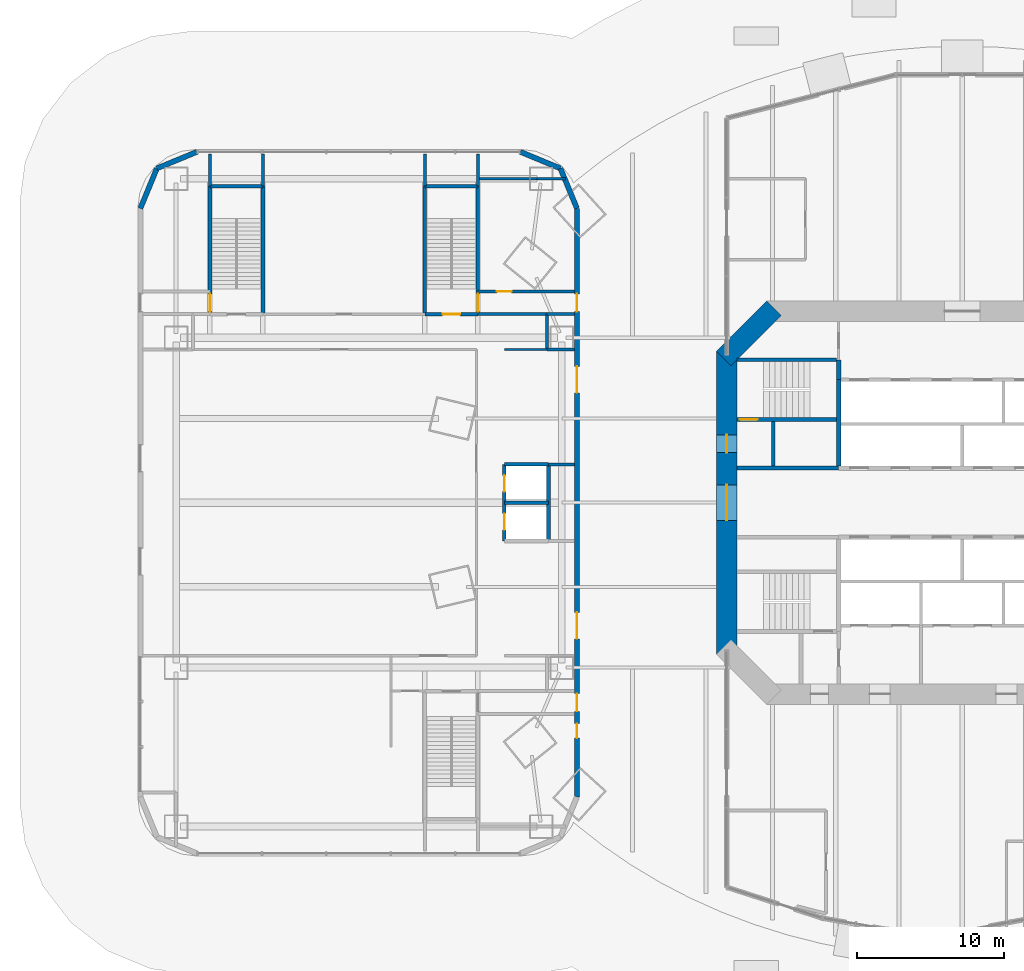
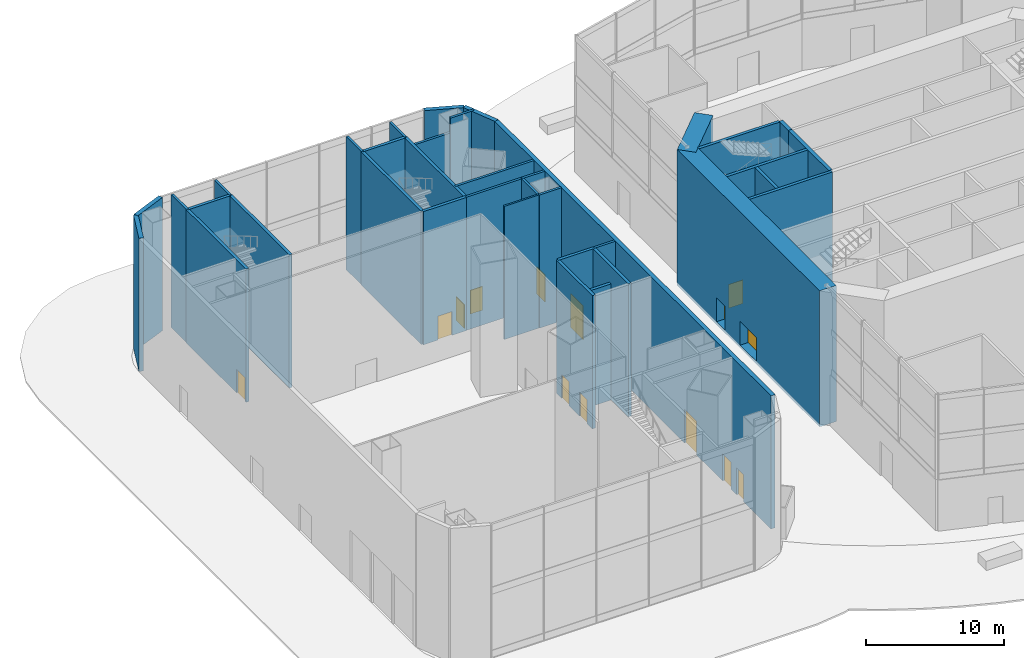
# One storey, part 13 of 23: 37 walls, 14 doors, 14 openings.
"""IFC4 building model written with IfcOpenShell, lengths in metres."""

from ifc_helpers import new_model, si_unit, direction, frame, frame_2d, origin, place, context, subcontext, project, spatial, rectangle, extrude, material, layer, layer_set, type_object, element, fill, save


model = new_model("IFC4")

# Units and contexts
model_context = context("Model", 3, precision=1e-05, world=origin(), true_north=direction((0.0, 1.0)))
body_context = subcontext(model_context, "Body", "Model", "MODEL_VIEW")
ifc_project = project(units=[si_unit("LENGTHUNIT", "METRE"), si_unit("AREAUNIT", "SQUARE_METRE"), si_unit("VOLUMEUNIT", "CUBIC_METRE"), si_unit("PLANEANGLEUNIT", "RADIAN"), si_unit("MASSUNIT", "GRAM", prefix="KILO")], contexts=[model_context])

# Site, building, storey
site_placement = place(None, origin())
site = spatial("IfcSite", under=ifc_project, at=site_placement, CompositionType="ELEMENT")
building_placement = place(site_placement, origin())
building = spatial("IfcBuilding", under=site, at=building_placement, Name="Marenthal Gate Tower", CompositionType="ELEMENT")
storey_placement = place(building_placement, origin())
storey = spatial("IfcBuildingStorey", under=building, at=storey_placement, Name="L00", CompositionType="ELEMENT", Elevation=0.0)

# Wall
ifc_material_1 = material(Name="Concrete 60 MPa", Category="concrete")
ifc_layer_1 = layer(ifc_material_1, 1.39990234375)
ifc_layer_set_1 = layer_set([ifc_layer_1], Name="Core shear wall 1400")
wall_type_1 = type_object("IfcWallType", Name="Core shear wall 1400", PredefinedType="SHEAR", material=ifc_layer_set_1)
wall_1_placement = place(storey_placement, frame((-12.794921875, 13.205078125, -0.25), z_axis=(0.0, 0.0, 1.0), x_axis=(-0.707106781187, -0.707106781187, 0.0)))
element("IfcWall", 1, at=wall_1_placement, inside=storey, type_object=wall_type_1, Name="Core wall 05", PredefinedType="SHEAR", context=body_context, shape_type="SweptSolid", body=[
    extrude(rectangle(XDim=4.82275390625, YDim=1.39990234375, at=frame_2d((2.411376953125, 0.0))), origin(), (0.0, 0.0, 1.0), 12.0),
])

# Wall, openings, doors
wall_2_placement = place(storey_placement, frame((-16.0, 10.289794921875, -0.25), z_axis=(0.0, 0.0, 1.0), x_axis=(0.0, -1.0, 0.0)))
wall_2 = element("IfcWall", 2, at=wall_2_placement, inside=storey, type_object=wall_type_1, Name="Core wall 06", PredefinedType="SHEAR", context=body_context, shape_type="SweptSolid", body=[
    extrude(rectangle(XDim=20.57958984375, YDim=1.39990234375, at=frame_2d((10.289794921875, 0.0))), origin(), (0.0, 0.0, 1.0), 12.0),
])
opening_1_placement = place(wall_2_placement, frame((9.08984375, 0.0, 0.25)))
opening_1 = element("IfcOpeningElement", 3, at=opening_1_placement, cuts=wall_2, Name="Opening D003.01", PredefinedType="OPENING", context=body_context, shape_type="SweptSolid", body=[
    extrude(rectangle(XDim=2.39990234375, YDim=2.10009765625, at=frame_2d((1.199951171875, 1.050048828125))), frame((0.0, 0.7099609375, 0.0), z_axis=(0.0, -1.0, 0.0), x_axis=(1.0, 0.0, 0.0)), (0.0, 0.0, 1.0), 1.419921875),
])
opening_2_placement = place(wall_2_placement, frame((5.68994140625, 0.0, 0.25)))
opening_2 = element("IfcOpeningElement", 4, at=opening_2_placement, cuts=wall_2, Name="Opening D001.04", PredefinedType="OPENING", context=body_context, shape_type="SweptSolid", body=[
    extrude(rectangle(XDim=1.199951171875, YDim=2.10009765625, at=frame_2d((0.60009765625, 1.050048828125))), frame((0.0, 0.7099609375, 0.0), z_axis=(0.0, -1.0, 0.0), x_axis=(1.0, 0.0, 0.0)), (0.0, 0.0, 1.0), 1.419921875),
])
ifc_material_2 = material(Name="Steel fire door", Category="steel")
door_type_1 = type_object("IfcDoorType", Name="Double fire door FD 45 2400 x 2100", OperationType="DOUBLE_DOOR_SINGLE_SWING", PredefinedType="DOOR", material=ifc_material_2)
door_1_placement = place(opening_1_placement, frame((2.39990234375, 0.0, 0.0), z_axis=(0.0, 0.0, 1.0), x_axis=(-1.0, 0.0, 0.0)))
door_1 = element("IfcDoor", 5, at=door_1_placement, inside=storey, type_object=door_type_1, Name="Door D003.01", OperationType="DOUBLE_DOOR_SINGLE_SWING", OverallHeight=2.10009765625, OverallWidth=2.39990234375, PredefinedType="DOOR", context=body_context, shape_type="SweptSolid", body=[
    extrude(rectangle(XDim=2.39990234375, YDim=2.10009765625, at=frame_2d((1.199951171875, 1.050048828125))), frame((0.0, 0.02490234375, 0.0), z_axis=(0.0, -1.0, 0.0), x_axis=(1.0, 0.0, 0.0)), (0.0, 0.0, 1.0), 0.050048828125),
])
fill(opening_1, door_1)
ifc_material_3 = material(Name="Steel fire door", Category="steel")
door_type_2 = type_object("IfcDoorType", Name="Fire door FD 90 1200 x 2100", OperationType="NOTDEFINED", PredefinedType="DOOR", material=ifc_material_3)
door_2_placement = place(opening_2_placement, frame((1.199951171875, 0.0, 0.0), z_axis=(0.0, 0.0, 1.0), x_axis=(-1.0, 0.0, 0.0)))
door_2 = element("IfcDoor", 6, at=door_2_placement, inside=storey, type_object=door_type_2, Name="Door D001.04", OperationType="SINGLE_SWING_LEFT", OverallHeight=2.10009765625, OverallWidth=1.199951171875, PredefinedType="DOOR", context=body_context, shape_type="SweptSolid", body=[
    extrude(rectangle(XDim=1.199951171875, YDim=2.10009765625, at=frame_2d((0.60009765625, 1.050048828125))), frame((0.0, 0.02490234375, 0.0), z_axis=(0.0, -1.0, 0.0), x_axis=(1.0, 0.0, 0.0)), (0.0, 0.0, 1.0), 0.050048828125),
])
fill(opening_2, door_2)

# Walls
ifc_material_4 = material(Name="Concrete 50 MPa", Category="concrete")
ifc_layer_2 = layer(ifc_material_4, 0.300048828125)
ifc_layer_set_2 = layer_set([ifc_layer_2], Name="Hoistway shear wall 300")
wall_type_2 = type_object("IfcWallType", Name="Hoistway shear wall 300", PredefinedType="SHEAR", material=ifc_layer_set_2)
wall_3_placement = place(storey_placement, frame((-8.39990234375, 2.5, -0.25), z_axis=(0.0, 0.0, 1.0), x_axis=(0.0, 1.0, 0.0)))
element("IfcWall", 7, at=wall_3_placement, inside=storey, type_object=wall_type_2, Name="Hoistway wall 32", PredefinedType="SHEAR", context=body_context, shape_type="SweptSolid", body=[
    extrude(rectangle(XDim=5.85009765625, YDim=0.300048828125, at=frame_2d((2.925048828125, 0.0))), origin(), (0.0, 0.0, 1.0), 12.0),
])
ifc_material_5 = material(Name="Concrete 40 MPa", Category="concrete")
ifc_layer_3 = layer(ifc_material_5, 0.25)
ifc_layer_set_3 = layer_set([ifc_layer_3], Name="Hoistway wall 250")
wall_type_3 = type_object("IfcWallType", Name="Hoistway wall 250", PredefinedType="STANDARD", material=ifc_layer_set_3)
wall_4_placement = place(storey_placement, frame((-31.10009765625, 0.0, 0.0), z_axis=(0.0, 0.0, 1.0), x_axis=(1.0, 0.0, 0.0)))
element("IfcWall", 8, at=wall_4_placement, inside=storey, type_object=wall_type_3, Name="Hoistway wall 50", PredefinedType="STANDARD", context=body_context, shape_type="SweptSolid", body=[
    extrude(rectangle(XDim=3.0, YDim=0.25, at=frame_2d((1.5, 0.0))), origin(), (0.0, 0.0, 1.0), 10.25),
])
wall_5_placement = place(storey_placement, frame((-31.10009765625, 2.60009765625, 0.0), z_axis=(0.0, 0.0, 1.0), x_axis=(1.0, 0.0, 0.0)))
element("IfcWall", 9, at=wall_5_placement, inside=storey, type_object=wall_type_3, Name="Hoistway wall 52", PredefinedType="STANDARD", context=body_context, shape_type="SweptSolid", body=[
    extrude(rectangle(XDim=3.0, YDim=0.25, at=frame_2d((1.5, 0.0))), origin(), (0.0, 0.0, 1.0), 11.75),
])
wall_6_placement = place(storey_placement, frame((-28.10009765625, -2.60009765625, 0.0), z_axis=(0.0, 0.0, 1.0), x_axis=(0.0, 1.0, 0.0)))
element("IfcWall", 10, at=wall_6_placement, inside=storey, type_object=wall_type_3, Name="Hoistway wall 56", PredefinedType="STANDARD", context=body_context, shape_type="SweptSolid", body=[
    extrude(rectangle(XDim=5.2001953125, YDim=0.25, at=frame_2d((2.60009765625, 0.0))), origin(), (0.0, 0.0, 1.0), 11.75),
])

# Wall, openings, doors
wall_7_placement = place(storey_placement, frame((-31.10009765625, -2.60009765625, 0.0), z_axis=(0.0, 0.0, 1.0), x_axis=(0.0, 1.0, 0.0)))
wall_7 = element("IfcWall", 11, at=wall_7_placement, inside=storey, type_object=wall_type_3, Name="Hoistway wall 57", PredefinedType="STANDARD", context=body_context, shape_type="SweptSolid", body=[
    extrude(rectangle(XDim=5.2001953125, YDim=0.25, at=frame_2d((2.60009765625, 0.0))), origin(), (0.0, 0.0, 1.0), 11.75),
])
opening_3_placement = place(wall_7_placement, frame((0.75, 0.0, 0.0)))
opening_3 = element("IfcOpeningElement", 12, at=opening_3_placement, cuts=wall_7, Name="Opening LD.03", PredefinedType="OPENING", context=body_context, shape_type="SweptSolid", body=[
    extrude(rectangle(XDim=1.10009765625, YDim=2.10009765625, at=frame_2d((0.550048828125, 1.050048828125))), frame((0.0, 0.135009765625, 0.0), z_axis=(0.0, -1.0, 0.0), x_axis=(1.0, 0.0, 0.0)), (0.0, 0.0, 1.0), 0.27001953125),
])
opening_4_placement = place(wall_7_placement, frame((3.35009765625, 0.0, 0.0)))
opening_4 = element("IfcOpeningElement", 13, at=opening_4_placement, cuts=wall_7, Name="Opening LD.04", PredefinedType="OPENING", context=body_context, shape_type="SweptSolid", body=[
    extrude(rectangle(XDim=1.10009765625, YDim=2.10009765625, at=frame_2d((0.550048828125, 1.050048828125))), frame((0.0, 0.135009765625, 0.0), z_axis=(0.0, -1.0, 0.0), x_axis=(1.0, 0.0, 0.0)), (0.0, 0.0, 1.0), 0.27001953125),
])
ifc_material_6 = material(Name="Stainless steel sliding door", Category="steel")
door_type_3 = type_object("IfcDoorType", Name="Lift landing door FD 90 1100 x 2100", OperationType="DOUBLE_DOOR_SLIDING", PredefinedType="DOOR", material=ifc_material_6)
door_3_placement = place(opening_3_placement, origin())
door_3 = element("IfcDoor", 14, at=door_3_placement, inside=storey, type_object=door_type_3, Name="Lift landing door 03", OperationType="DOUBLE_DOOR_SLIDING", OverallHeight=2.10009765625, OverallWidth=1.10009765625, PredefinedType="DOOR", context=body_context, shape_type="SweptSolid", body=[
    extrude(rectangle(XDim=1.10009765625, YDim=2.10009765625, at=frame_2d((0.550048828125, 1.050048828125))), frame((0.0, 0.02490234375, 0.0), z_axis=(0.0, -1.0, 0.0), x_axis=(1.0, 0.0, 0.0)), (0.0, 0.0, 1.0), 0.050048828125),
])
fill(opening_3, door_3)
door_4_placement = place(opening_4_placement, origin())
door_4 = element("IfcDoor", 15, at=door_4_placement, inside=storey, type_object=door_type_3, Name="Lift landing door 04", OperationType="DOUBLE_DOOR_SLIDING", OverallHeight=2.10009765625, OverallWidth=1.10009765625, PredefinedType="DOOR", context=body_context, shape_type="SweptSolid", body=[
    extrude(rectangle(XDim=1.10009765625, YDim=2.10009765625, at=frame_2d((0.550048828125, 1.050048828125))), frame((0.0, 0.02490234375, 0.0), z_axis=(0.0, -1.0, 0.0), x_axis=(1.0, 0.0, 0.0)), (0.0, 0.0, 1.0), 0.050048828125),
])
fill(opening_4, door_4)

# Walls
ifc_material_7 = material(Name="Gypsum board on steel studs", Category="steel")
ifc_layer_4 = layer(ifc_material_7, 0.14990234375)
ifc_layer_set_4 = layer_set([ifc_layer_4], Name="Partition 150")
wall_type_4 = type_object("IfcWallType", Name="Partition 150", PredefinedType="PARTITIONING", material=ifc_layer_set_4)
wall_8_placement = place(storey_placement, frame((-31.10498046875, 10.39990234375, 0.0), z_axis=(0.0, 0.0, 1.0), x_axis=(1.0, 0.0, 0.0)))
element("IfcWall", 16, at=wall_8_placement, inside=storey, type_object=wall_type_4, Name="Partition wall 81", PredefinedType="PARTITIONING", context=body_context, shape_type="SweptSolid", body=[
    extrude(rectangle(XDim=2.905029296875, YDim=0.14990234375, at=frame_2d((1.45263671875, 0.0))), origin(), (0.0, 0.0, 1.0), 11.75),
])
ifc_material_8 = material(Name="Gypsum board on steel studs", Category="steel")
ifc_layer_5 = layer(ifc_material_8, 0.199951171875)
ifc_layer_set_5 = layer_set([ifc_layer_5], Name="Partition 200")
wall_type_5 = type_object("IfcWallType", Name="Partition 200", PredefinedType="PARTITIONING", material=ifc_layer_set_5)
wall_9_placement = place(storey_placement, frame((-32.905029296875, 12.800048828125, 0.0), z_axis=(0.0, 0.0, 1.0), x_axis=(1.0, 0.0, 0.0)))
element("IfcWall", 17, at=wall_9_placement, inside=storey, type_object=wall_type_5, Name="Partition wall 63", PredefinedType="PARTITIONING", context=body_context, shape_type="SweptSolid", body=[
    extrude(rectangle(XDim=4.705078125, YDim=0.199951171875, at=frame_2d((2.3525390625, 0.0))), origin(), (0.0, 0.0, 1.0), 11.75),
])

# Wall, opening, door
wall_10_placement = place(storey_placement, frame((-32.89990234375, 14.35009765625, 0.0), z_axis=(0.0, 0.0, 1.0), x_axis=(1.0, 0.0, 0.0)))
wall_10 = element("IfcWall", 18, at=wall_10_placement, inside=storey, type_object=wall_type_5, Name="Partition wall 66", PredefinedType="PARTITIONING", context=body_context, shape_type="SweptSolid", body=[
    extrude(rectangle(XDim=6.56982421875, YDim=0.199951171875, at=frame_2d((3.284912109375, 0.0))), origin(), (0.0, 0.0, 1.0), 11.75),
])
opening_5_placement = place(wall_10_placement, frame((1.284912109375, 0.0, 0.0)))
opening_5 = element("IfcOpeningElement", 19, at=opening_5_placement, cuts=wall_10, Name="Opening D009.01", PredefinedType="OPENING", context=body_context, shape_type="SweptSolid", body=[
    extrude(rectangle(XDim=1.0, YDim=2.10009765625, at=frame_2d((0.5, 1.050048828125))), frame((0.0, 0.10986328125, 0.0), z_axis=(0.0, -1.0, 0.0), x_axis=(1.0, 0.0, 0.0)), (0.0, 0.0, 1.0), 0.219970703125),
])
ifc_material_9 = material(Name="Steel fire door", Category="steel")
door_type_4 = type_object("IfcDoorType", Name="Fire door FD 90 1000 x 2100", OperationType="NOTDEFINED", PredefinedType="DOOR", material=ifc_material_9)
door_5_placement = place(opening_5_placement, origin())
door_5 = element("IfcDoor", 20, at=door_5_placement, inside=storey, type_object=door_type_4, Name="Door D009.01", OperationType="SINGLE_SWING_RIGHT", OverallHeight=2.10009765625, OverallWidth=1.0, PredefinedType="DOOR", context=body_context, shape_type="SweptSolid", body=[
    extrude(rectangle(XDim=1.0, YDim=2.10009765625, at=frame_2d((0.5, 1.050048828125))), frame((0.0, 0.02490234375, 0.0), z_axis=(0.0, -1.0, 0.0), x_axis=(1.0, 0.0, 0.0)), (0.0, 0.0, 1.0), 0.050048828125),
])
fill(opening_5, door_5)

# Walls
wall_11_placement = place(storey_placement, frame((-28.10009765625, 2.60009765625, 0.0), z_axis=(0.0, 0.0, 1.0), x_axis=(1.0, 0.0, 0.0)))
element("IfcWall", 21, at=wall_11_placement, inside=storey, type_object=wall_type_5, Name="Partition wall 10", PredefinedType="PARTITIONING", context=body_context, shape_type="SweptSolid", body=[
    extrude(rectangle(XDim=1.77001953125, YDim=0.199951171875, at=frame_2d((0.885009765625, 0.0))), origin(), (0.0, 0.0, 1.0), 11.75),
])
for number, where, z_axis, x_axis, name in (
    (22, (-28.203857421875, 10.39990234375, 0.0), (0.0, 0.0, 1.0), (1.0, 0.0, 0.0), "Partition wall 13"),
    (23, (-28.203857421875, 12.800048828125, 0.0), (0.0, 0.0, 1.0), (1.0, 0.0, 0.0), "Partition wall 17"),
):
    element("IfcWall", number, at=place(storey_placement, frame(where, z_axis=z_axis, x_axis=x_axis)), inside=storey, type_object=wall_type_5, Name=name, PredefinedType="PARTITIONING", context=body_context, shape_type="SweptSolid", body=[
        extrude(rectangle(XDim=1.873779296875, YDim=0.199951171875, at=frame_2d((0.93701171875, 0.0))), origin(), (0.0, 0.0, 1.0), 11.75),
    ])
wall_12_placement = place(storey_placement, frame((-32.89990234375, 22.0, 0.0), z_axis=(0.0, 0.0, 1.0), x_axis=(1.0, 0.0, 0.0)))
element("IfcWall", 24, at=wall_12_placement, inside=storey, type_object=wall_type_5, Name="Partition wall 22", PredefinedType="PARTITIONING", context=body_context, shape_type="SweptSolid", body=[
    extrude(rectangle(XDim=4.0, YDim=0.199951171875, at=frame_2d((2.0, 0.0))), origin(), (0.0, 0.0, 1.0), 10.449951171875),
])
wall_13_placement = place(storey_placement, frame((-28.89990234375, 22.0, 0.0), z_axis=(0.0, 0.0, 1.0), x_axis=(1.0, 0.0, 0.0)))
element("IfcWall", 25, at=wall_13_placement, inside=storey, type_object=wall_type_5, Name="Partition wall 176", PredefinedType="PARTITIONING", context=body_context, shape_type="SweptSolid", body=[
    extrude(rectangle(XDim=1.947998046875, YDim=0.199951171875, at=frame_2d((0.97412109375, 0.0))), origin(), (0.0, 0.0, 1.0), 11.75),
])
wall_14_placement = place(storey_placement, frame((-28.199951171875, 10.39990234375, 0.0), z_axis=(0.0, 0.0, 1.0), x_axis=(0.0, 1.0, 0.0)))
element("IfcWall", 26, at=wall_14_placement, inside=storey, type_object=wall_type_5, Name="Partition wall 36", PredefinedType="PARTITIONING", context=body_context, shape_type="SweptSolid", body=[
    extrude(rectangle(XDim=2.400146484375, YDim=0.199951171875, at=frame_2d((1.2001953125, 0.0))), origin(), (0.0, 0.0, 1.0), 11.75),
])
for number, where, z_axis, x_axis, name in (
    (27, (-32.89990234375, 21.49609375, 0.0), (0.0, 0.0, 1.0), (0.0, 1.0, 0.0), "Partition wall 38"),
    (28, (-36.5, 21.49609375, 0.0), (0.0, 0.0, 1.0), (0.0, 1.0, 0.0), "Partition wall 40"),
    (29, (-47.5, 21.49609375, 0.0), (0.0, 0.0, 1.0), (0.0, 1.0, 0.0), "Partition wall 41"),
    (30, (-51.10009765625, 21.49609375, 0.0), (0.0, 0.0, 1.0), (0.0, 1.0, 0.0), "Partition wall 42"),
):
    element("IfcWall", number, at=place(storey_placement, frame(where, z_axis=z_axis, x_axis=x_axis)), inside=storey, type_object=wall_type_5, Name=name, PredefinedType="PARTITIONING", context=body_context, shape_type="SweptSolid", body=[
        extrude(rectangle(XDim=2.173828125, YDim=0.199951171875, at=frame_2d((1.0869140625, 0.0))), origin(), (0.0, 0.0, 1.0), 11.75),
    ])
ifc_material_10 = material(Name="Concrete 40 MPa", Category="concrete")
ifc_layer_6 = layer(ifc_material_10, 0.25)
ifc_layer_set_6 = layer_set([ifc_layer_6], Name="Stair enclosure wall 250")
wall_type_6 = type_object("IfcWallType", Name="Stair enclosure wall 250", PredefinedType="STANDARD", material=ifc_layer_set_6)
wall_15_placement = place(storey_placement, frame((-15.300048828125, 2.35009765625, 0.0), z_axis=(0.0, 0.0, 1.0), x_axis=(1.0, 0.0, 0.0)))
element("IfcWall", 31, at=wall_15_placement, inside=storey, type_object=wall_type_6, Name="Stair wall 19", PredefinedType="STANDARD", context=body_context, shape_type="SweptSolid", body=[
    extrude(rectangle(XDim=6.900146484375, YDim=0.25, at=frame_2d((3.4501953125, 0.0))), origin(), (0.0, 0.0, 1.0), 11.75),
])
wall_16_placement = place(storey_placement, frame((-12.85009765625, 2.47509765625, 0.0), z_axis=(0.0, 0.0, 1.0), x_axis=(0.0, 1.0, 0.0)))
element("IfcWall", 32, at=wall_16_placement, inside=storey, type_object=wall_type_6, Name="Stair wall 28", PredefinedType="STANDARD", context=body_context, shape_type="SweptSolid", body=[
    extrude(rectangle(XDim=3.0498046875, YDim=0.25, at=frame_2d((1.52490234375, 0.0))), origin(), (0.0, 0.0, 1.0), 11.75),
])

# Wall, opening, door
ifc_material_11 = material(Name="Concrete 50 MPa", Category="concrete")
ifc_layer_7 = layer(ifc_material_11, 0.25)
ifc_layer_set_7 = layer_set([ifc_layer_7], Name="Stair shear wall 250")
wall_type_7 = type_object("IfcWallType", Name="Stair shear wall 250", PredefinedType="SHEAR", material=ifc_layer_set_7)
wall_17_placement = place(storey_placement, frame((-15.300048828125, 5.64990234375, -0.25), z_axis=(0.0, 0.0, 1.0), x_axis=(1.0, 0.0, 0.0)))
wall_17 = element("IfcWall", 33, at=wall_17_placement, inside=storey, type_object=wall_type_7, Name="Stair wall 23", PredefinedType="SHEAR", context=body_context, shape_type="SweptSolid", body=[
    extrude(rectangle(XDim=6.75, YDim=0.25, at=frame_2d((3.375, 0.0))), origin(), (0.0, 0.0, 1.0), 12.0),
])
opening_6_placement = place(wall_17_placement, frame((0.199951171875, 0.0, 0.25)))
opening_6 = element("IfcOpeningElement", 34, at=opening_6_placement, cuts=wall_17, Name="Opening D001.01", PredefinedType="OPENING", context=body_context, shape_type="SweptSolid", body=[
    extrude(rectangle(XDim=1.199951171875, YDim=2.10009765625, at=frame_2d((0.60009765625, 1.050048828125))), frame((0.0, 0.135009765625, 0.0), z_axis=(0.0, -1.0, 0.0), x_axis=(1.0, 0.0, 0.0)), (0.0, 0.0, 1.0), 0.27001953125),
])
door_6_placement = place(opening_6_placement, origin())
door_6 = element("IfcDoor", 35, at=door_6_placement, inside=storey, type_object=door_type_2, Name="Door D001.01", OperationType="SINGLE_SWING_RIGHT", OverallHeight=2.10009765625, OverallWidth=1.199951171875, PredefinedType="DOOR", context=body_context, shape_type="SweptSolid", body=[
    extrude(rectangle(XDim=1.199951171875, YDim=2.10009765625, at=frame_2d((0.60009765625, 1.050048828125))), frame((0.0, 0.02490234375, 0.0), z_axis=(0.0, -1.0, 0.0), x_axis=(1.0, 0.0, 0.0)), (0.0, 0.0, 1.0), 0.050048828125),
])
fill(opening_6, door_6)

# Wall
wall_18_placement = place(storey_placement, frame((-15.300048828125, 9.699951171875, -0.25), z_axis=(0.0, 0.0, 1.0), x_axis=(1.0, 0.0, 0.0)))
element("IfcWall", 36, at=wall_18_placement, inside=storey, type_object=wall_type_7, Name="Stair wall 26", PredefinedType="SHEAR", context=body_context, shape_type="SweptSolid", body=[
    extrude(rectangle(XDim=6.75, YDim=0.25, at=frame_2d((3.375, 0.0))), origin(), (0.0, 0.0, 1.0), 12.0),
])

# Wall, opening, door
wall_19_placement = place(storey_placement, frame((-36.5048828125, 12.800048828125, 0.0), z_axis=(0.0, 0.0, 1.0), x_axis=(1.0, 0.0, 0.0)))
wall_19 = element("IfcWall", 37, at=wall_19_placement, inside=storey, type_object=wall_type_7, Name="Stair wall 50", PredefinedType="SHEAR", context=body_context, shape_type="SweptSolid", body=[
    extrude(rectangle(XDim=3.60986328125, YDim=0.25, at=frame_2d((1.804931640625, 0.0))), origin(), (0.0, 0.0, 1.0), 11.75),
])
opening_7_placement = place(wall_19_placement, frame((1.205078125, 0.0, 0.0)))
opening_7 = element("IfcOpeningElement", 38, at=opening_7_placement, cuts=wall_19, Name="Opening D001.13", PredefinedType="OPENING", context=body_context, shape_type="SweptSolid", body=[
    extrude(rectangle(XDim=1.199951171875, YDim=2.10009765625, at=frame_2d((0.60009765625, 1.050048828125))), frame((0.0, 0.135009765625, 0.0), z_axis=(0.0, -1.0, 0.0), x_axis=(1.0, 0.0, 0.0)), (0.0, 0.0, 1.0), 0.27001953125),
])
door_7_placement = place(opening_7_placement, origin())
door_7 = element("IfcDoor", 39, at=door_7_placement, inside=storey, type_object=door_type_2, Name="Door D001.13", OperationType="SINGLE_SWING_RIGHT", OverallHeight=2.10009765625, OverallWidth=1.199951171875, PredefinedType="DOOR", context=body_context, shape_type="SweptSolid", body=[
    extrude(rectangle(XDim=1.199951171875, YDim=2.10009765625, at=frame_2d((0.60009765625, 1.050048828125))), frame((0.0, 0.02490234375, 0.0), z_axis=(0.0, -1.0, 0.0), x_axis=(1.0, 0.0, 0.0)), (0.0, 0.0, 1.0), 0.050048828125),
])
fill(opening_7, door_7)

# Walls
for number, where, z_axis, x_axis, name in (
    (40, (-51.10009765625, 21.5, 0.0), (0.0, 0.0, 1.0), (1.0, 0.0, 0.0), "Stair wall 53"),
    (41, (-36.5, 21.5, 0.0), (0.0, 0.0, 1.0), (1.0, 0.0, 0.0), "Stair wall 54"),
):
    element("IfcWall", number, at=place(storey_placement, frame(where, z_axis=z_axis, x_axis=x_axis)), inside=storey, type_object=wall_type_7, Name=name, PredefinedType="SHEAR", context=body_context, shape_type="SweptSolid", body=[
        extrude(rectangle(XDim=3.60009765625, YDim=0.25, at=frame_2d((1.800048828125, 0.0))), origin(), (0.0, 0.0, 1.0), 11.75),
    ])

# Wall, opening, door
wall_20_placement = place(storey_placement, frame((-32.89990234375, 12.800048828125, 0.0), z_axis=(0.0, 0.0, 1.0), x_axis=(0.0, 1.0, 0.0)))
wall_20 = element("IfcWall", 42, at=wall_20_placement, inside=storey, type_object=wall_type_7, Name="Stair wall 64", PredefinedType="SHEAR", context=body_context, shape_type="SweptSolid", body=[
    extrude(rectangle(XDim=8.699951171875, YDim=0.25, at=frame_2d((4.35009765625, 0.0))), origin(), (0.0, 0.0, 1.0), 11.75),
])
opening_8_placement = place(wall_20_placement, frame((0.177490234375, 0.0, 0.0)))
opening_8 = element("IfcOpeningElement", 43, at=opening_8_placement, cuts=wall_20, Name="Opening D001.16", PredefinedType="OPENING", context=body_context, shape_type="SweptSolid", body=[
    extrude(rectangle(XDim=1.199951171875, YDim=2.10009765625, at=frame_2d((0.60009765625, 1.050048828125))), frame((0.0, 0.135009765625, 0.0), z_axis=(0.0, -1.0, 0.0), x_axis=(1.0, 0.0, 0.0)), (0.0, 0.0, 1.0), 0.27001953125),
])
door_8_placement = place(opening_8_placement, origin())
door_8 = element("IfcDoor", 44, at=door_8_placement, inside=storey, type_object=door_type_2, Name="Door D001.16", OperationType="SINGLE_SWING_RIGHT", OverallHeight=2.10009765625, OverallWidth=1.199951171875, PredefinedType="DOOR", context=body_context, shape_type="SweptSolid", body=[
    extrude(rectangle(XDim=1.199951171875, YDim=2.10009765625, at=frame_2d((0.60009765625, 1.050048828125))), frame((0.0, 0.02490234375, 0.0), z_axis=(0.0, -1.0, 0.0), x_axis=(1.0, 0.0, 0.0)), (0.0, 0.0, 1.0), 0.050048828125),
])
fill(opening_8, door_8)

# Walls
for number, where, z_axis, x_axis, name in (
    (45, (-36.5, 12.800048828125, 0.0), (0.0, 0.0, 1.0), (0.0, 1.0, 0.0), "Stair wall 66"),
    (46, (-47.5, 12.800048828125, 0.0), (0.0, 0.0, 1.0), (0.0, 1.0, 0.0), "Stair wall 67"),
):
    element("IfcWall", number, at=place(storey_placement, frame(where, z_axis=z_axis, x_axis=x_axis)), inside=storey, type_object=wall_type_7, Name=name, PredefinedType="SHEAR", context=body_context, shape_type="SweptSolid", body=[
        extrude(rectangle(XDim=8.699951171875, YDim=0.25, at=frame_2d((4.35009765625, 0.0))), origin(), (0.0, 0.0, 1.0), 11.75),
    ])

# Wall, opening, door
wall_21_placement = place(storey_placement, frame((-51.10009765625, 12.800048828125, 0.0), z_axis=(0.0, 0.0, 1.0), x_axis=(0.0, 1.0, 0.0)))
wall_21 = element("IfcWall", 47, at=wall_21_placement, inside=storey, type_object=wall_type_7, Name="Stair wall 68", PredefinedType="SHEAR", context=body_context, shape_type="SweptSolid", body=[
    extrude(rectangle(XDim=8.699951171875, YDim=0.25, at=frame_2d((4.35009765625, 0.0))), origin(), (0.0, 0.0, 1.0), 11.75),
])
opening_9_placement = place(wall_21_placement, frame((0.177490234375, 0.0, 0.0)))
opening_9 = element("IfcOpeningElement", 48, at=opening_9_placement, cuts=wall_21, Name="Opening D001.18", PredefinedType="OPENING", context=body_context, shape_type="SweptSolid", body=[
    extrude(rectangle(XDim=1.199951171875, YDim=2.10009765625, at=frame_2d((0.60009765625, 1.050048828125))), frame((0.0, 0.135009765625, 0.0), z_axis=(0.0, -1.0, 0.0), x_axis=(1.0, 0.0, 0.0)), (0.0, 0.0, 1.0), 0.27001953125),
])
door_9_placement = place(opening_9_placement, frame((1.199951171875, 0.0, 0.0), z_axis=(0.0, 0.0, 1.0), x_axis=(-1.0, 0.0, 0.0)))
door_9 = element("IfcDoor", 49, at=door_9_placement, inside=storey, type_object=door_type_2, Name="Door D001.18", OperationType="SINGLE_SWING_LEFT", OverallHeight=2.10009765625, OverallWidth=1.199951171875, PredefinedType="DOOR", context=body_context, shape_type="SweptSolid", body=[
    extrude(rectangle(XDim=1.199951171875, YDim=2.10009765625, at=frame_2d((0.60009765625, 1.050048828125))), frame((0.0, 0.02490234375, 0.0), z_axis=(0.0, -1.0, 0.0), x_axis=(1.0, 0.0, 0.0)), (0.0, 0.0, 1.0), 0.050048828125),
])
fill(opening_9, door_9)

# Wall
ifc_material_12 = material(Name="Concrete 50 MPa", Category="concrete")
ifc_layer_8 = layer(ifc_material_12, 0.300048828125)
ifc_layer_set_8 = layer_set([ifc_layer_8], Name="Stair shear wall 300")
wall_type_8 = type_object("IfcWallType", Name="Stair shear wall 300", PredefinedType="SHEAR", material=ifc_layer_set_8)
wall_22_placement = place(storey_placement, frame((-8.39990234375, 8.35009765625, -0.25), z_axis=(0.0, 0.0, 1.0), x_axis=(0.0, 1.0, 0.0)))
element("IfcWall", 50, at=wall_22_placement, inside=storey, type_object=wall_type_8, Name="Stair wall 33", PredefinedType="SHEAR", context=body_context, shape_type="SweptSolid", body=[
    extrude(rectangle(XDim=1.349853515625, YDim=0.300048828125, at=frame_2d((0.6748046875, 0.0))), origin(), (0.0, 0.0, 1.0), 12.0),
])

# Wall, openings, doors
ifc_material_13 = material(Name="Terracotta cladding on insulated concrete-block backing", Category="masonry")
ifc_layer_9 = layer(ifc_material_13, 0.35009765625)
ifc_layer_set_9 = layer_set([ifc_layer_9], Name="Terracotta cladding wall 350")
wall_type_9 = type_object("IfcWallType", Name="Terracotta cladding wall 350", PredefinedType="SOLIDWALL", material=ifc_layer_set_9)
wall_23_placement = place(storey_placement, frame((-26.175048828125, -19.988525390625, 0.0), z_axis=(0.0, 0.0, 1.0), x_axis=(0.0, 1.0, 0.0)))
wall_23 = element("IfcWall", 51, at=wall_23_placement, inside=storey, type_object=wall_type_9, Name="Terracotta cladding wall L00 W3", PredefinedType="SOLIDWALL", context=body_context, shape_type="SweptSolid", body=[
    extrude(rectangle(XDim=39.97705078125, YDim=0.35009765625, at=frame_2d((19.988525390625, 0.0))), origin(), (0.0, 0.0, 1.0), 11.75),
])
opening_10_placement = place(wall_23_placement, frame((10.738525390625, 0.0, 0.0)))
opening_10 = element("IfcOpeningElement", 52, at=opening_10_placement, cuts=wall_23, Name="Opening DE1-L00-17", PredefinedType="OPENING", context=body_context, shape_type="SweptSolid", body=[
    extrude(rectangle(XDim=1.800048828125, YDim=3.0, at=frame_2d((0.89990234375, 1.5))), frame((0.0, 0.18505859375, 0.0), z_axis=(0.0, -1.0, 0.0), x_axis=(1.0, 0.0, 0.0)), (0.0, 0.0, 1.0), 0.3701171875),
])
opening_11_placement = place(wall_23_placement, frame((27.4384765625, 0.0, 0.0)))
opening_11 = element("IfcOpeningElement", 53, at=opening_11_placement, cuts=wall_23, Name="Opening DE1-L00-18", PredefinedType="OPENING", context=body_context, shape_type="SweptSolid", body=[
    extrude(rectangle(XDim=1.800048828125, YDim=3.0, at=frame_2d((0.89990234375, 1.5))), frame((0.0, 0.18505859375, 0.0), z_axis=(0.0, -1.0, 0.0), x_axis=(1.0, 0.0, 0.0)), (0.0, 0.0, 1.0), 0.3701171875),
])
opening_12_placement = place(wall_23_placement, frame((32.96337890625, 0.0, 0.0)))
opening_12 = element("IfcOpeningElement", 54, at=opening_12_placement, cuts=wall_23, Name="Opening DX1-L00-27", PredefinedType="OPENING", context=body_context, shape_type="SweptSolid", body=[
    extrude(rectangle(XDim=1.199951171875, YDim=2.39990234375, at=frame_2d((0.60009765625, 1.199951171875))), frame((0.0, 0.18505859375, 0.0), z_axis=(0.0, -1.0, 0.0), x_axis=(1.0, 0.0, 0.0)), (0.0, 0.0, 1.0), 0.3701171875),
])
opening_13_placement = place(wall_23_placement, frame((5.8134765625, 0.0, 0.0)))
opening_13 = element("IfcOpeningElement", 55, at=opening_13_placement, cuts=wall_23, Name="Opening DX1-L00-28", PredefinedType="OPENING", context=body_context, shape_type="SweptSolid", body=[
    extrude(rectangle(XDim=1.199951171875, YDim=2.39990234375, at=frame_2d((0.60009765625, 1.199951171875))), frame((0.0, 0.18505859375, 0.0), z_axis=(0.0, -1.0, 0.0), x_axis=(1.0, 0.0, 0.0)), (0.0, 0.0, 1.0), 0.3701171875),
])
opening_14_placement = place(wall_23_placement, frame((3.988525390625, 0.0, 0.0)))
opening_14 = element("IfcOpeningElement", 56, at=opening_14_placement, cuts=wall_23, Name="Opening DX1-L00-32", PredefinedType="OPENING", context=body_context, shape_type="SweptSolid", body=[
    extrude(rectangle(XDim=1.0, YDim=2.39990234375, at=frame_2d((0.5, 1.199951171875))), frame((0.0, 0.18505859375, 0.0), z_axis=(0.0, -1.0, 0.0), x_axis=(1.0, 0.0, 0.0)), (0.0, 0.0, 1.0), 0.3701171875),
])
ifc_material_14 = material(Name="Aluminium and glass", Category="aluminium")
door_type_5 = type_object("IfcDoorType", Name="Entrance door 1800x3000", OperationType="DOUBLE_DOOR_DOUBLE_SWING", PredefinedType="DOOR", material=ifc_material_14)
door_10_placement = place(opening_10_placement, frame((1.800048828125, 0.0, 0.0), z_axis=(0.0, 0.0, 1.0), x_axis=(-1.0, 0.0, 0.0)))
door_10 = element("IfcDoor", 57, at=door_10_placement, inside=storey, type_object=door_type_5, Name="Exterior door DE1-L00-17 L00", OperationType="DOUBLE_DOOR_DOUBLE_SWING", OverallHeight=3.0, OverallWidth=1.800048828125, PredefinedType="DOOR", context=body_context, shape_type="SweptSolid", body=[
    extrude(rectangle(XDim=1.800048828125, YDim=3.0, at=frame_2d((0.89990234375, 1.5))), frame((0.0, 0.02490234375, 0.0), z_axis=(0.0, -1.0, 0.0), x_axis=(1.0, 0.0, 0.0)), (0.0, 0.0, 1.0), 0.050048828125),
])
fill(opening_10, door_10)
door_11_placement = place(opening_11_placement, frame((1.800048828125, 0.0, 0.0), z_axis=(0.0, 0.0, 1.0), x_axis=(-1.0, 0.0, 0.0)))
door_11 = element("IfcDoor", 58, at=door_11_placement, inside=storey, type_object=door_type_5, Name="Exterior door DE1-L00-18 L00", OperationType="DOUBLE_DOOR_DOUBLE_SWING", OverallHeight=3.0, OverallWidth=1.800048828125, PredefinedType="DOOR", context=body_context, shape_type="SweptSolid", body=[
    extrude(rectangle(XDim=1.800048828125, YDim=3.0, at=frame_2d((0.89990234375, 1.5))), frame((0.0, 0.02490234375, 0.0), z_axis=(0.0, -1.0, 0.0), x_axis=(1.0, 0.0, 0.0)), (0.0, 0.0, 1.0), 0.050048828125),
])
fill(opening_11, door_11)
ifc_material_15 = material(Name="Aluminium and glass", Category="aluminium")
door_type_6 = type_object("IfcDoorType", Name="Exit door 1000x2400", OperationType="NOTDEFINED", PredefinedType="DOOR", material=ifc_material_15)
door_12_placement = place(opening_14_placement, frame((1.0, 0.0, 0.0), z_axis=(0.0, 0.0, 1.0), x_axis=(-1.0, 0.0, 0.0)))
door_12 = element("IfcDoor", 59, at=door_12_placement, inside=storey, type_object=door_type_6, Name="Exterior door DX1-L00-32 L00", OperationType="SINGLE_SWING_RIGHT", OverallHeight=2.39990234375, OverallWidth=1.0, PredefinedType="DOOR", context=body_context, shape_type="SweptSolid", body=[
    extrude(rectangle(XDim=1.0, YDim=2.39990234375, at=frame_2d((0.5, 1.199951171875))), frame((0.0, 0.02490234375, 0.0), z_axis=(0.0, -1.0, 0.0), x_axis=(1.0, 0.0, 0.0)), (0.0, 0.0, 1.0), 0.050048828125),
])
fill(opening_14, door_12)
ifc_material_16 = material(Name="Aluminium and glass", Category="aluminium")
door_type_7 = type_object("IfcDoorType", Name="Exit door 1200x2400", OperationType="NOTDEFINED", PredefinedType="DOOR", material=ifc_material_16)
door_13_placement = place(opening_12_placement, frame((1.199951171875, 0.0, 0.0), z_axis=(0.0, 0.0, 1.0), x_axis=(-1.0, 0.0, 0.0)))
door_13 = element("IfcDoor", 60, at=door_13_placement, inside=storey, type_object=door_type_7, Name="Exterior door DX1-L00-27 L00", OperationType="SINGLE_SWING_RIGHT", OverallHeight=2.39990234375, OverallWidth=1.199951171875, PredefinedType="DOOR", context=body_context, shape_type="SweptSolid", body=[
    extrude(rectangle(XDim=1.199951171875, YDim=2.39990234375, at=frame_2d((0.60009765625, 1.199951171875))), frame((0.0, 0.02490234375, 0.0), z_axis=(0.0, -1.0, 0.0), x_axis=(1.0, 0.0, 0.0)), (0.0, 0.0, 1.0), 0.050048828125),
])
fill(opening_12, door_13)
door_14_placement = place(opening_13_placement, frame((1.199951171875, 0.0, 0.0), z_axis=(0.0, 0.0, 1.0), x_axis=(-1.0, 0.0, 0.0)))
door_14 = element("IfcDoor", 61, at=door_14_placement, inside=storey, type_object=door_type_7, Name="Exterior door DX1-L00-28 L00", OperationType="SINGLE_SWING_RIGHT", OverallHeight=2.39990234375, OverallWidth=1.199951171875, PredefinedType="DOOR", context=body_context, shape_type="SweptSolid", body=[
    extrude(rectangle(XDim=1.199951171875, YDim=2.39990234375, at=frame_2d((0.60009765625, 1.199951171875))), frame((0.0, 0.02490234375, 0.0), z_axis=(0.0, -1.0, 0.0), x_axis=(1.0, 0.0, 0.0)), (0.0, 0.0, 1.0), 0.050048828125),
])
fill(opening_13, door_14)

# Walls
for number, where, z_axis, x_axis, name in (
    (62, (-26.175048828125, 19.988525390625, 0.0), (0.0, 0.0, 1.0), (-0.381727741993, 0.924274813566, 0.0), "Terracotta cladding wall L00 W4"),
    (63, (-27.29638671875, 22.70361328125, 0.0), (0.0, 0.0, 1.0), (-0.924274813566, 0.381727741993, 0.0), "Terracotta cladding wall L00 W5"),
    (64, (-51.988525390625, 23.824951171875, 0.0), (0.0, 0.0, 1.0), (-0.924274813566, -0.381727741993, 0.0), "Terracotta cladding wall L00 W7"),
    (65, (-54.70361328125, 22.70361328125, 0.0), (0.0, 0.0, 1.0), (-0.381727741993, -0.924274813566, 0.0), "Terracotta cladding wall L00 W8"),
):
    element("IfcWall", number, at=place(storey_placement, frame(where, z_axis=z_axis, x_axis=x_axis)), inside=storey, type_object=wall_type_9, Name=name, PredefinedType="SOLIDWALL", context=body_context, shape_type="SweptSolid", body=[
        extrude(rectangle(XDim=2.9375, YDim=0.35009765625, at=frame_2d((1.46875, 0.0))), origin(), (0.0, 0.0, 1.0), 11.75),
    ])

save(model, "model.ifc")
